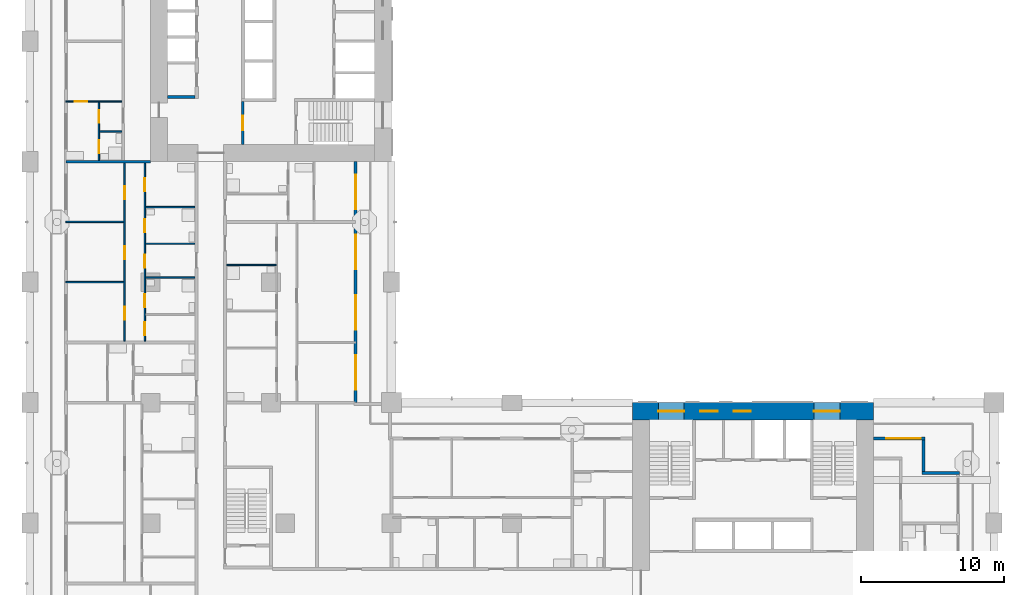
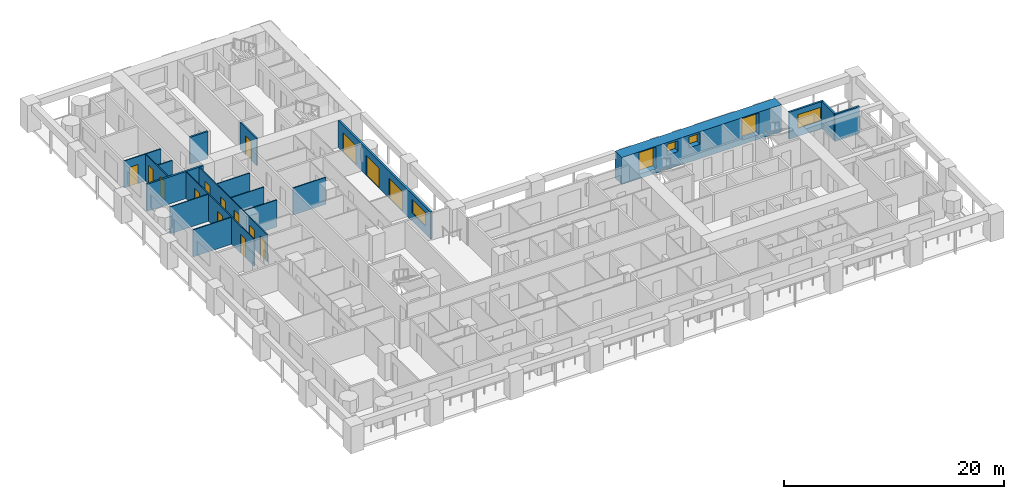
# One storey, part 8 of 21: 19 walls, 15 doors, 6 windows, 21 openings.
"""IFC4 building model written with IfcOpenShell, lengths in metres."""

from ifc_helpers import new_model, si_unit, direction, frame, frame_2d, origin, place, context, subcontext, project, spatial, rectangle, extrude, material, layer, layer_set, type_object, element, fill, save


model = new_model("IFC4")

# Units and contexts
model_context = context("Model", 3, precision=1e-05, world=origin(), true_north=direction((0.0, 1.0)))
body_context = subcontext(model_context, "Body", "Model", "MODEL_VIEW")
ifc_project = project(units=[si_unit("LENGTHUNIT", "METRE"), si_unit("AREAUNIT", "SQUARE_METRE"), si_unit("VOLUMEUNIT", "CUBIC_METRE"), si_unit("PLANEANGLEUNIT", "RADIAN"), si_unit("MASSUNIT", "GRAM", prefix="KILO")], contexts=[model_context])

# Site, building, storey
site_placement = place(None, origin())
site = spatial("IfcSite", under=ifc_project, at=site_placement, CompositionType="ELEMENT")
building_placement = place(site_placement, origin())
building = spatial("IfcBuilding", under=site, at=building_placement, Name="Vermilion Gate Residences", CompositionType="ELEMENT")
storey_placement = place(building_placement, frame((0.0, 0.0, 70.699951171875)))
storey = spatial("IfcBuildingStorey", under=building, at=storey_placement, Name="L17", CompositionType="ELEMENT", Elevation=70.699951171875)

# Wall, opening, door
ifc_material_1 = material(Name="Masonry blockwork", Category="masonry")
ifc_layer_1 = layer(ifc_material_1, 0.14990234375)
ifc_layer_set_1 = layer_set([ifc_layer_1], Name="BLOCKWORK PARTITION 150 EI 120")
wall_type_1 = type_object("IfcWallType", Name="BLOCKWORK PARTITION 150 EI 120", PredefinedType="PARTITIONING", material=ifc_layer_set_1)
wall_1_placement = place(storey_placement, frame((14.824951171875, 46.199951171875, 0.0), z_axis=(0.0, 0.0, 1.0), x_axis=(0.0, -1.0, 0.0)))
wall_1 = element("IfcWall", 1, at=wall_1_placement, inside=storey, type_object=wall_type_1, Name="Core room partition B17-VE-S", PredefinedType="PARTITIONING", context=body_context, shape_type="SweptSolid", body=[
    extrude(rectangle(XDim=3.0, YDim=0.14990234375, at=frame_2d((1.5, 0.0))), origin(), (0.0, 0.0, 1.0), 3.0),
])
opening_1_placement = place(wall_1_placement, frame((1.0, 0.0, 0.0)))
opening_1 = element("IfcOpeningElement", 2, at=opening_1_placement, cuts=wall_1, Name="Opening DK17114", PredefinedType="OPENING", context=body_context, shape_type="SweptSolid", body=[
    extrude(rectangle(XDim=1.0, YDim=2.10009765625, at=frame_2d((0.5, 1.050048828125))), frame((0.0, 0.0849609375, 0.0), z_axis=(0.0, -1.0, 0.0), x_axis=(1.0, 0.0, 0.0)), (0.0, 0.0, 1.0), 0.169921875),
])
ifc_material_2 = material(Name="Steel", Category="steel")
door_type_1 = type_object("IfcDoorType", Name="FIRE DOOR FD60 1000 X 2100", OperationType="SINGLE_SWING_LEFT", PredefinedType="DOOR", material=ifc_material_2)
door_1_placement = place(opening_1_placement, frame((1.0, 0.0, 0.0), z_axis=(0.0, 0.0, 1.0), x_axis=(-1.0, 0.0, 0.0)))
door_1 = element("IfcDoor", 3, at=door_1_placement, inside=storey, type_object=door_type_1, Name="Stair vestibule door B17", OperationType="SINGLE_SWING_LEFT", OverallHeight=2.10009765625, OverallWidth=1.0, PredefinedType="DOOR", context=body_context, shape_type="SweptSolid", body=[
    extrude(rectangle(XDim=1.0, YDim=2.10009765625, at=frame_2d((0.5, 1.050048828125))), frame((0.0, 0.02490234375, 0.0), z_axis=(0.0, -1.0, 0.0), x_axis=(1.0, 0.0, 0.0)), (0.0, 0.0, 1.0), 0.050048828125),
])
fill(opening_1, door_1)

# Walls
ifc_material_3 = material(Name="Insulated steel stud wall with terracotta rainscreen", Category="masonry")
ifc_layer_2 = layer(ifc_material_3, 0.199951171875)
ifc_layer_set_2 = layer_set([ifc_layer_2], Name="EXTERNAL WALL 200 TERRACOTTA RAINSCREEN")
wall_type_2 = type_object("IfcWallType", Name="EXTERNAL WALL 200 TERRACOTTA RAINSCREEN", PredefinedType="SOLIDWALL", material=ifc_layer_set_2)
wall_2_placement = place(storey_placement, frame((64.800048828125, 20.300048828125, 0.0), z_axis=(0.0, 0.0, 1.0), x_axis=(-1.0, 0.0, 0.0)))
element("IfcWall", 4, at=wall_2_placement, inside=storey, type_object=wall_type_2, Name="External wall", PredefinedType="SOLIDWALL", context=body_context, shape_type="SweptSolid", body=[
    extrude(rectangle(XDim=2.60009765625, YDim=0.199951171875, at=frame_2d((1.300048828125, 0.0))), origin(), (0.0, 0.0, 1.0), 3.0),
])
wall_3_placement = place(storey_placement, frame((62.300048828125, 20.39990234375, 0.0), z_axis=(0.0, 0.0, 1.0), x_axis=(0.0, 1.0, 0.0)))
element("IfcWall", 5, at=wall_3_placement, inside=storey, type_object=wall_type_2, Name="External wall", PredefinedType="SOLIDWALL", context=body_context, shape_type="SweptSolid", body=[
    extrude(rectangle(XDim=2.2001953125, YDim=0.199951171875, at=frame_2d((1.10009765625, 0.0))), origin(), (0.0, 0.0, 1.0), 3.0),
])

# Wall, opening, window
wall_4_placement = place(storey_placement, frame((62.39990234375, 22.699951171875, 0.0), z_axis=(0.0, 0.0, 1.0), x_axis=(-1.0, 0.0, 0.0)))
wall_4 = element("IfcWall", 6, at=wall_4_placement, inside=storey, type_object=wall_type_2, Name="External wall", PredefinedType="SOLIDWALL", context=body_context, shape_type="SweptSolid", body=[
    extrude(rectangle(XDim=3.599853515625, YDim=0.199951171875, at=frame_2d((1.7998046875, 0.0))), origin(), (0.0, 0.0, 1.0), 3.0),
])
opening_2_placement = place(wall_4_placement, frame((0.300048828125, 0.0, 0.89990234375)))
opening_2 = element("IfcOpeningElement", 7, at=opening_2_placement, cuts=wall_4, Name="Opening WE17032", PredefinedType="OPENING", context=body_context, shape_type="SweptSolid", body=[
    extrude(rectangle(XDim=2.39990234375, YDim=1.5, at=frame_2d((1.199951171875, 0.75))), frame((0.0, 0.10986328125, 0.0), z_axis=(0.0, -1.0, 0.0), x_axis=(1.0, 0.0, 0.0)), (0.0, 0.0, 1.0), 0.219970703125),
])
ifc_material_4 = material(Name="Aluminium and clear glass", Category="aluminium")
window_type_1 = type_object("IfcWindowType", Name="WINDOW 2400 X 1500", PartitioningType="SINGLE_PANEL", PredefinedType="WINDOW", material=ifc_material_4)
window_1_placement = place(opening_2_placement, origin())
window_1 = element("IfcWindow", 8, at=window_1_placement, inside=storey, type_object=window_type_1, Name="Window", OverallHeight=1.5, OverallWidth=2.39990234375, PartitioningType="SINGLE_PANEL", PredefinedType="WINDOW", context=body_context, shape_type="SweptSolid", body=[
    extrude(rectangle(XDim=2.39990234375, YDim=1.5, at=frame_2d((1.199951171875, 0.75))), frame((0.0, 0.030029296875, 0.0), z_axis=(0.0, -1.0, 0.0), x_axis=(1.0, 0.0, 0.0)), (0.0, 0.0, 1.0), 0.06005859375),
])
fill(opening_2, window_1)

# Wall, openings, doors, window
wall_5_placement = place(storey_placement, frame((22.699951171875, 25.199951171875, 0.0), z_axis=(0.0, 0.0, 1.0), x_axis=(0.0, 1.0, 0.0)))
wall_5 = element("IfcWall", 9, at=wall_5_placement, inside=storey, type_object=wall_type_2, Name="External wall", PredefinedType="SOLIDWALL", context=body_context, shape_type="SweptSolid", body=[
    extrude(rectangle(XDim=16.800048828125, YDim=0.199951171875, at=frame_2d((8.39990234375, 0.0))), origin(), (0.0, 0.0, 1.0), 3.0),
])
opening_3_placement = place(wall_5_placement, frame((0.89990234375, 0.0, 0.89990234375)))
opening_3 = element("IfcOpeningElement", 10, at=opening_3_placement, cuts=wall_5, Name="Opening WE17037", PredefinedType="OPENING", context=body_context, shape_type="SweptSolid", body=[
    extrude(rectangle(XDim=2.39990234375, YDim=1.5, at=frame_2d((1.199951171875, 0.75))), frame((0.0, 0.10986328125, 0.0), z_axis=(0.0, -1.0, 0.0), x_axis=(1.0, 0.0, 0.0)), (0.0, 0.0, 1.0), 0.219970703125),
])
opening_4_placement = place(wall_5_placement, frame((5.10009765625, 0.0, 0.0)))
opening_4 = element("IfcOpeningElement", 11, at=opening_4_placement, cuts=wall_5, Name="Opening DE17038", PredefinedType="OPENING", context=body_context, shape_type="SweptSolid", body=[
    extrude(rectangle(XDim=2.39990234375, YDim=2.199951171875, at=frame_2d((1.199951171875, 1.10009765625))), frame((0.0, 0.10986328125, 0.0), z_axis=(0.0, -1.0, 0.0), x_axis=(1.0, 0.0, 0.0)), (0.0, 0.0, 1.0), 0.219970703125),
])
opening_5_placement = place(wall_5_placement, frame((9.300048828125, 0.0, 0.0)))
opening_5 = element("IfcOpeningElement", 12, at=opening_5_placement, cuts=wall_5, Name="Opening DE17039", PredefinedType="OPENING", context=body_context, shape_type="SweptSolid", body=[
    extrude(rectangle(XDim=2.39990234375, YDim=2.199951171875, at=frame_2d((1.199951171875, 1.10009765625))), frame((0.0, 0.10986328125, 0.0), z_axis=(0.0, -1.0, 0.0), x_axis=(1.0, 0.0, 0.0)), (0.0, 0.0, 1.0), 0.219970703125),
])
opening_6_placement = place(wall_5_placement, frame((13.5, 0.0, 0.0)))
opening_6 = element("IfcOpeningElement", 13, at=opening_6_placement, cuts=wall_5, Name="Opening DE17040", PredefinedType="OPENING", context=body_context, shape_type="SweptSolid", body=[
    extrude(rectangle(XDim=2.39990234375, YDim=2.199951171875, at=frame_2d((1.199951171875, 1.10009765625))), frame((0.0, 0.10986328125, 0.0), z_axis=(0.0, -1.0, 0.0), x_axis=(1.0, 0.0, 0.0)), (0.0, 0.0, 1.0), 0.219970703125),
])
ifc_material_5 = material(Name="Aluminium and clear glass", Category="aluminium")
door_type_2 = type_object("IfcDoorType", Name="SLIDING GLAZED DOOR 2400 X 2200", OperationType="DOUBLE_DOOR_SLIDING", PredefinedType="DOOR", material=ifc_material_5)
door_2_placement = place(opening_4_placement, origin())
door_2 = element("IfcDoor", 14, at=door_2_placement, inside=storey, type_object=door_type_2, Name="Loggia sliding door", OperationType="DOUBLE_DOOR_SLIDING", OverallHeight=2.199951171875, OverallWidth=2.39990234375, PredefinedType="DOOR", context=body_context, shape_type="SweptSolid", body=[
    extrude(rectangle(XDim=2.39990234375, YDim=2.199951171875, at=frame_2d((1.199951171875, 1.10009765625))), frame((0.0, 0.02490234375, 0.0), z_axis=(0.0, -1.0, 0.0), x_axis=(1.0, 0.0, 0.0)), (0.0, 0.0, 1.0), 0.050048828125),
])
fill(opening_4, door_2)
door_3_placement = place(opening_5_placement, origin())
door_3 = element("IfcDoor", 15, at=door_3_placement, inside=storey, type_object=door_type_2, Name="Loggia sliding door", OperationType="DOUBLE_DOOR_SLIDING", OverallHeight=2.199951171875, OverallWidth=2.39990234375, PredefinedType="DOOR", context=body_context, shape_type="SweptSolid", body=[
    extrude(rectangle(XDim=2.39990234375, YDim=2.199951171875, at=frame_2d((1.199951171875, 1.10009765625))), frame((0.0, 0.02490234375, 0.0), z_axis=(0.0, -1.0, 0.0), x_axis=(1.0, 0.0, 0.0)), (0.0, 0.0, 1.0), 0.050048828125),
])
fill(opening_5, door_3)
door_4_placement = place(opening_6_placement, origin())
door_4 = element("IfcDoor", 16, at=door_4_placement, inside=storey, type_object=door_type_2, Name="Loggia sliding door", OperationType="DOUBLE_DOOR_SLIDING", OverallHeight=2.199951171875, OverallWidth=2.39990234375, PredefinedType="DOOR", context=body_context, shape_type="SweptSolid", body=[
    extrude(rectangle(XDim=2.39990234375, YDim=2.199951171875, at=frame_2d((1.199951171875, 1.10009765625))), frame((0.0, 0.02490234375, 0.0), z_axis=(0.0, -1.0, 0.0), x_axis=(1.0, 0.0, 0.0)), (0.0, 0.0, 1.0), 0.050048828125),
])
fill(opening_6, door_4)
window_2_placement = place(opening_3_placement, origin())
window_2 = element("IfcWindow", 17, at=window_2_placement, inside=storey, type_object=window_type_1, Name="Window", OverallHeight=1.5, OverallWidth=2.39990234375, PartitioningType="SINGLE_PANEL", PredefinedType="WINDOW", context=body_context, shape_type="SweptSolid", body=[
    extrude(rectangle(XDim=2.39990234375, YDim=1.5, at=frame_2d((1.199951171875, 0.75))), frame((0.0, 0.030029296875, 0.0), z_axis=(0.0, -1.0, 0.0), x_axis=(1.0, 0.0, 0.0)), (0.0, 0.0, 1.0), 0.06005859375),
])
fill(opening_3, window_2)

# Walls
ifc_material_6 = material(Name="Plasterboard on steel studs", Category="steel")
ifc_layer_3 = layer(ifc_material_6, 0.10009765625)
ifc_layer_set_3 = layer_set([ifc_layer_3], Name="PARTITION 100")
wall_type_3 = type_object("IfcWallType", Name="PARTITION 100", PredefinedType="PARTITIONING", material=ifc_layer_set_3)
wall_6_placement = place(storey_placement, frame((2.5, 33.60009765625, 0.0), z_axis=(0.0, 0.0, 1.0), x_axis=(1.0, 0.0, 0.0)))
element("IfcWall", 18, at=wall_6_placement, inside=storey, type_object=wall_type_3, Name="Partition", PredefinedType="PARTITIONING", context=body_context, shape_type="SweptSolid", body=[
    extrude(rectangle(XDim=4.050048828125, YDim=0.10009765625, at=frame_2d((2.02490234375, 0.0))), origin(), (0.0, 0.0, 1.0), 3.0),
])
for number, where, z_axis, x_axis, name in (
    (19, (8.050048828125, 33.919921875, 0.0), (0.0, 0.0, 1.0), (1.0, 0.0, 0.0), "Partition"),
    (20, (13.699951171875, 34.800048828125, 0.0), (0.0, 0.0, 1.0), (1.0, 0.0, 0.0), "Partition"),
    (21, (8.050048828125, 36.280029296875, 0.0), (0.0, 0.0, 1.0), (1.0, 0.0, 0.0), "Partition"),
):
    element("IfcWall", number, at=place(storey_placement, frame(where, z_axis=z_axis, x_axis=x_axis)), inside=storey, type_object=wall_type_3, Name=name, PredefinedType="PARTITIONING", context=body_context, shape_type="SweptSolid", body=[
        extrude(rectangle(XDim=3.449951171875, YDim=0.10009765625, at=frame_2d((1.72509765625, 0.0))), origin(), (0.0, 0.0, 1.0), 3.0),
    ])
wall_7_placement = place(storey_placement, frame((2.5, 37.800048828125, 0.0), z_axis=(0.0, 0.0, 1.0), x_axis=(1.0, 0.0, 0.0)))
element("IfcWall", 22, at=wall_7_placement, inside=storey, type_object=wall_type_3, Name="Partition", PredefinedType="PARTITIONING", context=body_context, shape_type="SweptSolid", body=[
    extrude(rectangle(XDim=4.050048828125, YDim=0.10009765625, at=frame_2d((2.02490234375, 0.0))), origin(), (0.0, 0.0, 1.0), 3.0),
])
wall_8_placement = place(storey_placement, frame((8.050048828125, 38.840087890625, 0.0), z_axis=(0.0, 0.0, 1.0), x_axis=(1.0, 0.0, 0.0)))
element("IfcWall", 23, at=wall_8_placement, inside=storey, type_object=wall_type_3, Name="Partition", PredefinedType="PARTITIONING", context=body_context, shape_type="SweptSolid", body=[
    extrude(rectangle(XDim=3.449951171875, YDim=0.10009765625, at=frame_2d((1.72509765625, 0.0))), origin(), (0.0, 0.0, 1.0), 3.0),
])
wall_9_placement = place(storey_placement, frame((4.85009765625, 44.10009765625, 0.0), z_axis=(0.0, 0.0, 1.0), x_axis=(1.0, 0.0, 0.0)))
element("IfcWall", 24, at=wall_9_placement, inside=storey, type_object=wall_type_3, Name="Partition", PredefinedType="PARTITIONING", context=body_context, shape_type="SweptSolid", body=[
    extrude(rectangle(XDim=1.5498046875, YDim=0.10009765625, at=frame_2d((0.77490234375, 0.0))), origin(), (0.0, 0.0, 1.0), 3.0),
])

# Wall, opening, door
wall_10_placement = place(storey_placement, frame((2.5, 46.199951171875, 0.0), z_axis=(0.0, 0.0, 1.0), x_axis=(1.0, 0.0, 0.0)))
wall_10 = element("IfcWall", 25, at=wall_10_placement, inside=storey, type_object=wall_type_3, Name="Partition", PredefinedType="PARTITIONING", context=body_context, shape_type="SweptSolid", body=[
    extrude(rectangle(XDim=3.89990234375, YDim=0.10009765625, at=frame_2d((1.949951171875, 0.0))), origin(), (0.0, 0.0, 1.0), 3.0),
])
opening_7_placement = place(wall_10_placement, frame((0.60009765625, 0.0, 0.0)))
opening_7 = element("IfcOpeningElement", 26, at=opening_7_placement, cuts=wall_10, Name="Opening DA16042", PredefinedType="OPENING", context=body_context, shape_type="SweptSolid", body=[
    extrude(rectangle(XDim=0.89990234375, YDim=2.10009765625, at=frame_2d((0.449951171875, 1.050048828125))), frame((0.0, 0.06005859375, 0.0), z_axis=(0.0, -1.0, 0.0), x_axis=(1.0, 0.0, 0.0)), (0.0, 0.0, 1.0), 0.1201171875),
])
ifc_material_7 = material(Name="Timber", Category="wood")
door_type_3 = type_object("IfcDoorType", Name="INTERIOR DOOR 900 X 2100", OperationType="SINGLE_SWING_LEFT", PredefinedType="DOOR", material=ifc_material_7)
door_5_placement = place(opening_7_placement, frame((0.89990234375, 0.0, 0.0), z_axis=(0.0, 0.0, 1.0), x_axis=(-1.0, 0.0, 0.0)))
door_5 = element("IfcDoor", 27, at=door_5_placement, inside=storey, type_object=door_type_3, Name="Interior door", OperationType="SINGLE_SWING_RIGHT", OverallHeight=2.10009765625, OverallWidth=0.89990234375, PredefinedType="DOOR", context=body_context, shape_type="SweptSolid", body=[
    extrude(rectangle(XDim=0.89990234375, YDim=2.10009765625, at=frame_2d((0.449951171875, 1.050048828125))), frame((0.0, 0.02490234375, 0.0), z_axis=(0.0, -1.0, 0.0), x_axis=(1.0, 0.0, 0.0)), (0.0, 0.0, 1.0), 0.050048828125),
])
fill(opening_7, door_5)

# Wall, openings, doors
wall_11_placement = place(storey_placement, frame((4.800048828125, 42.10009765625, 0.0), z_axis=(0.0, 0.0, 1.0), x_axis=(0.0, 1.0, 0.0)))
wall_11 = element("IfcWall", 28, at=wall_11_placement, inside=storey, type_object=wall_type_3, Name="Partition", PredefinedType="PARTITIONING", context=body_context, shape_type="SweptSolid", body=[
    extrude(rectangle(XDim=4.0498046875, YDim=0.10009765625, at=frame_2d((2.02490234375, 0.0))), origin(), (0.0, 0.0, 1.0), 3.0),
])
opening_8_placement = place(wall_11_placement, frame((2.60009765625, 0.0, 0.0)))
opening_8 = element("IfcOpeningElement", 29, at=opening_8_placement, cuts=wall_11, Name="Opening DA16043", PredefinedType="OPENING", context=body_context, shape_type="SweptSolid", body=[
    extrude(rectangle(XDim=0.89990234375, YDim=2.10009765625, at=frame_2d((0.449951171875, 1.050048828125))), frame((0.0, 0.06005859375, 0.0), z_axis=(0.0, -1.0, 0.0), x_axis=(1.0, 0.0, 0.0)), (0.0, 0.0, 1.0), 0.1201171875),
])
opening_9_placement = place(wall_11_placement, frame((0.5, 0.0, 0.0)))
opening_9 = element("IfcOpeningElement", 30, at=opening_9_placement, cuts=wall_11, Name="Opening DA16044", PredefinedType="OPENING", context=body_context, shape_type="SweptSolid", body=[
    extrude(rectangle(XDim=0.89990234375, YDim=2.10009765625, at=frame_2d((0.449951171875, 1.050048828125))), frame((0.0, 0.06005859375, 0.0), z_axis=(0.0, -1.0, 0.0), x_axis=(1.0, 0.0, 0.0)), (0.0, 0.0, 1.0), 0.1201171875),
])
door_6_placement = place(opening_8_placement, origin())
door_6 = element("IfcDoor", 31, at=door_6_placement, inside=storey, type_object=door_type_3, Name="Interior door", OperationType="SINGLE_SWING_RIGHT", OverallHeight=2.10009765625, OverallWidth=0.89990234375, PredefinedType="DOOR", context=body_context, shape_type="SweptSolid", body=[
    extrude(rectangle(XDim=0.89990234375, YDim=2.10009765625, at=frame_2d((0.449951171875, 1.050048828125))), frame((0.0, 0.02490234375, 0.0), z_axis=(0.0, -1.0, 0.0), x_axis=(1.0, 0.0, 0.0)), (0.0, 0.0, 1.0), 0.050048828125),
])
fill(opening_8, door_6)
door_7_placement = place(opening_9_placement, frame((0.89990234375, 0.0, 0.0), z_axis=(0.0, 0.0, 1.0), x_axis=(-1.0, 0.0, 0.0)))
door_7 = element("IfcDoor", 32, at=door_7_placement, inside=storey, type_object=door_type_3, Name="Interior door", OperationType="SINGLE_SWING_RIGHT", OverallHeight=2.10009765625, OverallWidth=0.89990234375, PredefinedType="DOOR", context=body_context, shape_type="SweptSolid", body=[
    extrude(rectangle(XDim=0.89990234375, YDim=2.10009765625, at=frame_2d((0.449951171875, 1.050048828125))), frame((0.0, 0.02490234375, 0.0), z_axis=(0.0, -1.0, 0.0), x_axis=(1.0, 0.0, 0.0)), (0.0, 0.0, 1.0), 0.050048828125),
])
fill(opening_9, door_7)

wall_12_placement = place(storey_placement, frame((6.60009765625, 29.5, 0.0), z_axis=(0.0, 0.0, 1.0), x_axis=(0.0, 1.0, 0.0)))
wall_12 = element("IfcWall", 33, at=wall_12_placement, inside=storey, type_object=wall_type_3, Name="Partition", PredefinedType="PARTITIONING", context=body_context, shape_type="SweptSolid", body=[
    extrude(rectangle(XDim=12.39990234375, YDim=0.10009765625, at=frame_2d((6.199951171875, 0.0))), origin(), (0.0, 0.0, 1.0), 3.0),
])
opening_10_placement = place(wall_12_placement, frame((1.5, 0.0, 0.0)))
opening_10 = element("IfcOpeningElement", 34, at=opening_10_placement, cuts=wall_12, Name="Opening DA16050", PredefinedType="OPENING", context=body_context, shape_type="SweptSolid", body=[
    extrude(rectangle(XDim=0.89990234375, YDim=2.10009765625, at=frame_2d((0.449951171875, 1.050048828125))), frame((0.0, 0.06005859375, 0.0), z_axis=(0.0, -1.0, 0.0), x_axis=(1.0, 0.0, 0.0)), (0.0, 0.0, 1.0), 0.1201171875),
])
opening_11_placement = place(wall_12_placement, frame((5.699951171875, 0.0, 0.0)))
opening_11 = element("IfcOpeningElement", 35, at=opening_11_placement, cuts=wall_12, Name="Opening DA16051", PredefinedType="OPENING", context=body_context, shape_type="SweptSolid", body=[
    extrude(rectangle(XDim=0.89990234375, YDim=2.10009765625, at=frame_2d((0.449951171875, 1.050048828125))), frame((0.0, 0.06005859375, 0.0), z_axis=(0.0, -1.0, 0.0), x_axis=(1.0, 0.0, 0.0)), (0.0, 0.0, 1.0), 0.1201171875),
])
opening_12_placement = place(wall_12_placement, frame((9.89990234375, 0.0, 0.0)))
opening_12 = element("IfcOpeningElement", 36, at=opening_12_placement, cuts=wall_12, Name="Opening DA16052", PredefinedType="OPENING", context=body_context, shape_type="SweptSolid", body=[
    extrude(rectangle(XDim=0.89990234375, YDim=2.10009765625, at=frame_2d((0.449951171875, 1.050048828125))), frame((0.0, 0.06005859375, 0.0), z_axis=(0.0, -1.0, 0.0), x_axis=(1.0, 0.0, 0.0)), (0.0, 0.0, 1.0), 0.1201171875),
])
door_8_placement = place(opening_10_placement, origin())
door_8 = element("IfcDoor", 37, at=door_8_placement, inside=storey, type_object=door_type_3, Name="Interior door", OperationType="SINGLE_SWING_LEFT", OverallHeight=2.10009765625, OverallWidth=0.89990234375, PredefinedType="DOOR", context=body_context, shape_type="SweptSolid", body=[
    extrude(rectangle(XDim=0.89990234375, YDim=2.10009765625, at=frame_2d((0.449951171875, 1.050048828125))), frame((0.0, 0.02490234375, 0.0), z_axis=(0.0, -1.0, 0.0), x_axis=(1.0, 0.0, 0.0)), (0.0, 0.0, 1.0), 0.050048828125),
])
fill(opening_10, door_8)
door_9_placement = place(opening_11_placement, origin())
door_9 = element("IfcDoor", 38, at=door_9_placement, inside=storey, type_object=door_type_3, Name="Interior door", OperationType="SINGLE_SWING_LEFT", OverallHeight=2.10009765625, OverallWidth=0.89990234375, PredefinedType="DOOR", context=body_context, shape_type="SweptSolid", body=[
    extrude(rectangle(XDim=0.89990234375, YDim=2.10009765625, at=frame_2d((0.449951171875, 1.050048828125))), frame((0.0, 0.02490234375, 0.0), z_axis=(0.0, -1.0, 0.0), x_axis=(1.0, 0.0, 0.0)), (0.0, 0.0, 1.0), 0.050048828125),
])
fill(opening_11, door_9)
door_10_placement = place(opening_12_placement, origin())
door_10 = element("IfcDoor", 39, at=door_10_placement, inside=storey, type_object=door_type_3, Name="Interior door", OperationType="SINGLE_SWING_LEFT", OverallHeight=2.10009765625, OverallWidth=0.89990234375, PredefinedType="DOOR", context=body_context, shape_type="SweptSolid", body=[
    extrude(rectangle(XDim=0.89990234375, YDim=2.10009765625, at=frame_2d((0.449951171875, 1.050048828125))), frame((0.0, 0.02490234375, 0.0), z_axis=(0.0, -1.0, 0.0), x_axis=(1.0, 0.0, 0.0)), (0.0, 0.0, 1.0), 0.050048828125),
])
fill(opening_12, door_10)

wall_13_placement = place(storey_placement, frame((8.0, 29.5, 0.0), z_axis=(0.0, 0.0, 1.0), x_axis=(0.0, 1.0, 0.0)))
wall_13 = element("IfcWall", 40, at=wall_13_placement, inside=storey, type_object=wall_type_3, Name="Partition", PredefinedType="PARTITIONING", context=body_context, shape_type="SweptSolid", body=[
    extrude(rectangle(XDim=12.39990234375, YDim=0.10009765625, at=frame_2d((6.199951171875, 0.0))), origin(), (0.0, 0.0, 1.0), 3.0),
])
opening_13_placement = place(wall_13_placement, frame((5.1201171875, 0.0, 0.0)))
opening_13 = element("IfcOpeningElement", 41, at=opening_13_placement, cuts=wall_13, Name="Opening DA16059", PredefinedType="OPENING", context=body_context, shape_type="SweptSolid", body=[
    extrude(rectangle(XDim=0.89990234375, YDim=2.10009765625, at=frame_2d((0.449951171875, 1.050048828125))), frame((0.0, 0.06005859375, 0.0), z_axis=(0.0, -1.0, 0.0), x_axis=(1.0, 0.0, 0.0)), (0.0, 0.0, 1.0), 0.1201171875),
])
opening_14_placement = place(wall_13_placement, frame((0.39990234375, 0.0, 0.0)))
opening_14 = element("IfcOpeningElement", 42, at=opening_14_placement, cuts=wall_13, Name="Opening DA16060", PredefinedType="OPENING", context=body_context, shape_type="SweptSolid", body=[
    extrude(rectangle(XDim=0.89990234375, YDim=2.10009765625, at=frame_2d((0.449951171875, 1.050048828125))), frame((0.0, 0.06005859375, 0.0), z_axis=(0.0, -1.0, 0.0), x_axis=(1.0, 0.0, 0.0)), (0.0, 0.0, 1.0), 0.1201171875),
])
opening_15_placement = place(wall_13_placement, frame((2.360107421875, 0.0, 0.0)))
opening_15 = element("IfcOpeningElement", 43, at=opening_15_placement, cuts=wall_13, Name="Opening DA16061", PredefinedType="OPENING", context=body_context, shape_type="SweptSolid", body=[
    extrude(rectangle(XDim=0.89990234375, YDim=2.10009765625, at=frame_2d((0.449951171875, 1.050048828125))), frame((0.0, 0.06005859375, 0.0), z_axis=(0.0, -1.0, 0.0), x_axis=(1.0, 0.0, 0.0)), (0.0, 0.0, 1.0), 0.1201171875),
])
opening_16_placement = place(wall_13_placement, frame((7.580078125, 0.0, 0.0)))
opening_16 = element("IfcOpeningElement", 44, at=opening_16_placement, cuts=wall_13, Name="Opening DA16062", PredefinedType="OPENING", context=body_context, shape_type="SweptSolid", body=[
    extrude(rectangle(XDim=0.89990234375, YDim=2.10009765625, at=frame_2d((0.449951171875, 1.050048828125))), frame((0.0, 0.06005859375, 0.0), z_axis=(0.0, -1.0, 0.0), x_axis=(1.0, 0.0, 0.0)), (0.0, 0.0, 1.0), 0.1201171875),
])
opening_17_placement = place(wall_13_placement, frame((10.43994140625, 0.0, 0.0)))
opening_17 = element("IfcOpeningElement", 45, at=opening_17_placement, cuts=wall_13, Name="Opening DA16063", PredefinedType="OPENING", context=body_context, shape_type="SweptSolid", body=[
    extrude(rectangle(XDim=0.89990234375, YDim=2.10009765625, at=frame_2d((0.449951171875, 1.050048828125))), frame((0.0, 0.06005859375, 0.0), z_axis=(0.0, -1.0, 0.0), x_axis=(1.0, 0.0, 0.0)), (0.0, 0.0, 1.0), 0.1201171875),
])
door_11_placement = place(opening_13_placement, frame((0.89990234375, 0.0, 0.0), z_axis=(0.0, 0.0, 1.0), x_axis=(-1.0, 0.0, 0.0)))
door_11 = element("IfcDoor", 46, at=door_11_placement, inside=storey, type_object=door_type_3, Name="Interior door", OperationType="SINGLE_SWING_RIGHT", OverallHeight=2.10009765625, OverallWidth=0.89990234375, PredefinedType="DOOR", context=body_context, shape_type="SweptSolid", body=[
    extrude(rectangle(XDim=0.89990234375, YDim=2.10009765625, at=frame_2d((0.449951171875, 1.050048828125))), frame((0.0, 0.02490234375, 0.0), z_axis=(0.0, -1.0, 0.0), x_axis=(1.0, 0.0, 0.0)), (0.0, 0.0, 1.0), 0.050048828125),
])
fill(opening_13, door_11)
door_12_placement = place(opening_14_placement, frame((0.89990234375, 0.0, 0.0), z_axis=(0.0, 0.0, 1.0), x_axis=(-1.0, 0.0, 0.0)))
door_12 = element("IfcDoor", 47, at=door_12_placement, inside=storey, type_object=door_type_3, Name="Interior door", OperationType="SINGLE_SWING_RIGHT", OverallHeight=2.10009765625, OverallWidth=0.89990234375, PredefinedType="DOOR", context=body_context, shape_type="SweptSolid", body=[
    extrude(rectangle(XDim=0.89990234375, YDim=2.10009765625, at=frame_2d((0.449951171875, 1.050048828125))), frame((0.0, 0.02490234375, 0.0), z_axis=(0.0, -1.0, 0.0), x_axis=(1.0, 0.0, 0.0)), (0.0, 0.0, 1.0), 0.050048828125),
])
fill(opening_14, door_12)
door_13_placement = place(opening_15_placement, frame((0.89990234375, 0.0, 0.0), z_axis=(0.0, 0.0, 1.0), x_axis=(-1.0, 0.0, 0.0)))
door_13 = element("IfcDoor", 48, at=door_13_placement, inside=storey, type_object=door_type_3, Name="Interior door", OperationType="SINGLE_SWING_LEFT", OverallHeight=2.10009765625, OverallWidth=0.89990234375, PredefinedType="DOOR", context=body_context, shape_type="SweptSolid", body=[
    extrude(rectangle(XDim=0.89990234375, YDim=2.10009765625, at=frame_2d((0.449951171875, 1.050048828125))), frame((0.0, 0.02490234375, 0.0), z_axis=(0.0, -1.0, 0.0), x_axis=(1.0, 0.0, 0.0)), (0.0, 0.0, 1.0), 0.050048828125),
])
fill(opening_15, door_13)
door_14_placement = place(opening_16_placement, frame((0.89990234375, 0.0, 0.0), z_axis=(0.0, 0.0, 1.0), x_axis=(-1.0, 0.0, 0.0)))
door_14 = element("IfcDoor", 49, at=door_14_placement, inside=storey, type_object=door_type_3, Name="Interior door", OperationType="SINGLE_SWING_LEFT", OverallHeight=2.10009765625, OverallWidth=0.89990234375, PredefinedType="DOOR", context=body_context, shape_type="SweptSolid", body=[
    extrude(rectangle(XDim=0.89990234375, YDim=2.10009765625, at=frame_2d((0.449951171875, 1.050048828125))), frame((0.0, 0.02490234375, 0.0), z_axis=(0.0, -1.0, 0.0), x_axis=(1.0, 0.0, 0.0)), (0.0, 0.0, 1.0), 0.050048828125),
])
fill(opening_16, door_14)
door_15_placement = place(opening_17_placement, frame((0.89990234375, 0.0, 0.0), z_axis=(0.0, 0.0, 1.0), x_axis=(-1.0, 0.0, 0.0)))
door_15 = element("IfcDoor", 50, at=door_15_placement, inside=storey, type_object=door_type_3, Name="Interior door", OperationType="SINGLE_SWING_RIGHT", OverallHeight=2.10009765625, OverallWidth=0.89990234375, PredefinedType="DOOR", context=body_context, shape_type="SweptSolid", body=[
    extrude(rectangle(XDim=0.89990234375, YDim=2.10009765625, at=frame_2d((0.449951171875, 1.050048828125))), frame((0.0, 0.02490234375, 0.0), z_axis=(0.0, -1.0, 0.0), x_axis=(1.0, 0.0, 0.0)), (0.0, 0.0, 1.0), 0.050048828125),
])
fill(opening_17, door_15)

# Walls
ifc_material_8 = material(Name="Fire-rated plasterboard on steel studs", Category="steel")
ifc_layer_4 = layer(ifc_material_8, 0.199951171875)
ifc_layer_set_4 = layer_set([ifc_layer_4], Name="PARTY WALL 200 EI 120")
wall_type_4 = type_object("IfcWallType", Name="PARTY WALL 200 EI 120", PredefinedType="PARTITIONING", material=ifc_layer_set_4)
wall_14_placement = place(storey_placement, frame((2.5, 42.0, 0.0), z_axis=(0.0, 0.0, 1.0), x_axis=(1.0, 0.0, 0.0)))
element("IfcWall", 51, at=wall_14_placement, inside=storey, type_object=wall_type_4, Name="Party and corridor wall", PredefinedType="PARTITIONING", context=body_context, shape_type="SweptSolid", body=[
    extrude(rectangle(XDim=5.89990234375, YDim=0.199951171875, at=frame_2d((2.949951171875, 0.0))), origin(), (0.0, 0.0, 1.0), 3.0),
])
ifc_material_9 = material(Name="Concrete C60", Category="concrete")
ifc_layer_5 = layer(ifc_material_9, 0.199951171875)
ifc_layer_set_5 = layer_set([ifc_layer_5], Name="RC CORE INTERNAL WALL 200 C60")
wall_type_5 = type_object("IfcWallType", Name="RC CORE INTERNAL WALL 200 C60", PredefinedType="SHEAR", material=ifc_layer_set_5)
wall_15_placement = place(storey_placement, frame((9.60009765625, 46.5, 0.0), z_axis=(0.0, 0.0, 1.0), x_axis=(1.0, 0.0, 0.0)))
element("IfcWall", 52, at=wall_15_placement, inside=storey, type_object=wall_type_5, Name="Core internal wall B17-LR-DE", PredefinedType="SHEAR", context=body_context, shape_type="SweptSolid", body=[
    extrude(rectangle(XDim=1.89990234375, YDim=0.199951171875, at=frame_2d((0.949951171875, 0.0))), origin(), (0.0, 0.0, 1.0), 3.0),
])

# Wall, openings, windows
ifc_material_10 = material(Name="Concrete C80 red-oxide pigmented", Category="concrete")
ifc_layer_6 = layer(ifc_material_10, 1.199951171875)
ifc_layer_set_6 = layer_set([ifc_layer_6], Name="RC CORE WALL 1200 C80 RED OXIDE")
wall_type_6 = type_object("IfcWallType", Name="RC CORE WALL 1200 C80 RED OXIDE", PredefinedType="SHEAR", material=ifc_layer_set_6)
wall_16_placement = place(storey_placement, frame((42.0, 24.60009765625, 0.0), z_axis=(0.0, 0.0, 1.0), x_axis=(1.0, 0.0, 0.0)))
wall_16 = element("IfcWall", 53, at=wall_16_placement, inside=storey, type_object=wall_type_6, Name="Core wall A17-OUT-B1", PredefinedType="SHEAR", context=body_context, shape_type="SweptSolid", body=[
    extrude(rectangle(XDim=16.800048828125, YDim=1.199951171875, at=frame_2d((8.39990234375, 0.0))), origin(), (0.0, 0.0, 1.0), 3.0),
])
opening_18_placement = place(wall_16_placement, frame((1.800048828125, 0.0, 0.5)))
opening_18 = element("IfcOpeningElement", 54, at=opening_18_placement, cuts=wall_16, Name="Opening WKA1701", PredefinedType="OPENING", context=body_context, shape_type="SweptSolid", body=[
    extrude(rectangle(XDim=1.800048828125, YDim=2.39990234375, at=frame_2d((0.89990234375, 1.199951171875))), frame((0.0, 0.60986328125, 0.0), z_axis=(0.0, -1.0, 0.0), x_axis=(1.0, 0.0, 0.0)), (0.0, 0.0, 1.0), 1.219970703125),
])
opening_19_placement = place(wall_16_placement, frame((4.737548828125, 0.0, 1.60009765625)))
opening_19 = element("IfcOpeningElement", 55, at=opening_19_placement, cuts=wall_16, Name="Opening WKA1702", PredefinedType="OPENING", context=body_context, shape_type="SweptSolid", body=[
    extrude(rectangle(XDim=1.199951171875, YDim=1.199951171875, at=frame_2d((0.60009765625, 0.60009765625))), frame((0.0, 0.60986328125, 0.0), z_axis=(0.0, -1.0, 0.0), x_axis=(1.0, 0.0, 0.0)), (0.0, 0.0, 1.0), 1.219970703125),
])
opening_20_placement = place(wall_16_placement, frame((7.050048828125, 0.0, 1.60009765625)))
opening_20 = element("IfcOpeningElement", 56, at=opening_20_placement, cuts=wall_16, Name="Opening WKA1703", PredefinedType="OPENING", context=body_context, shape_type="SweptSolid", body=[
    extrude(rectangle(XDim=1.199951171875, YDim=1.199951171875, at=frame_2d((0.60009765625, 0.60009765625))), frame((0.0, 0.60986328125, 0.0), z_axis=(0.0, -1.0, 0.0), x_axis=(1.0, 0.0, 0.0)), (0.0, 0.0, 1.0), 1.219970703125),
])
opening_21_placement = place(wall_16_placement, frame((12.64990234375, 0.0, 0.5)))
opening_21 = element("IfcOpeningElement", 57, at=opening_21_placement, cuts=wall_16, Name="Opening WKA1704", PredefinedType="OPENING", context=body_context, shape_type="SweptSolid", body=[
    extrude(rectangle(XDim=1.800048828125, YDim=2.39990234375, at=frame_2d((0.89990234375, 1.199951171875))), frame((0.0, 0.60986328125, 0.0), z_axis=(0.0, -1.0, 0.0), x_axis=(1.0, 0.0, 0.0)), (0.0, 0.0, 1.0), 1.219970703125),
])
ifc_material_11 = material(Name="Aluminium frame with louvre blades", Category="aluminium")
window_type_2 = type_object("IfcWindowType", Name="CORE LOUVRE 1200 X 1200", PartitioningType="SINGLE_PANEL", PredefinedType="WINDOW", material=ifc_material_11)
window_3_placement = place(opening_19_placement, origin())
window_3 = element("IfcWindow", 58, at=window_3_placement, inside=storey, type_object=window_type_2, Name="Core louvre", OverallHeight=1.199951171875, OverallWidth=1.199951171875, PartitioningType="SINGLE_PANEL", PredefinedType="WINDOW", context=body_context, shape_type="SweptSolid", body=[
    extrude(rectangle(XDim=1.199951171875, YDim=1.199951171875, at=frame_2d((0.60009765625, 0.60009765625))), frame((0.0, 0.030029296875, 0.0), z_axis=(0.0, -1.0, 0.0), x_axis=(1.0, 0.0, 0.0)), (0.0, 0.0, 1.0), 0.06005859375),
])
fill(opening_19, window_3)
window_4_placement = place(opening_20_placement, origin())
window_4 = element("IfcWindow", 59, at=window_4_placement, inside=storey, type_object=window_type_2, Name="Core louvre", OverallHeight=1.199951171875, OverallWidth=1.199951171875, PartitioningType="SINGLE_PANEL", PredefinedType="WINDOW", context=body_context, shape_type="SweptSolid", body=[
    extrude(rectangle(XDim=1.199951171875, YDim=1.199951171875, at=frame_2d((0.60009765625, 0.60009765625))), frame((0.0, 0.030029296875, 0.0), z_axis=(0.0, -1.0, 0.0), x_axis=(1.0, 0.0, 0.0)), (0.0, 0.0, 1.0), 0.06005859375),
])
fill(opening_20, window_4)
ifc_material_12 = material(Name="Aluminium and clear glass", Category="aluminium")
window_type_3 = type_object("IfcWindowType", Name="CORE STAIR WINDOW 1800 X 2400", PartitioningType="SINGLE_PANEL", PredefinedType="WINDOW", material=ifc_material_12)
window_5_placement = place(opening_18_placement, origin())
window_5 = element("IfcWindow", 60, at=window_5_placement, inside=storey, type_object=window_type_3, Name="Core stair window", OverallHeight=2.39990234375, OverallWidth=1.800048828125, PartitioningType="SINGLE_PANEL", PredefinedType="WINDOW", context=body_context, shape_type="SweptSolid", body=[
    extrude(rectangle(XDim=1.800048828125, YDim=2.39990234375, at=frame_2d((0.89990234375, 1.199951171875))), frame((0.0, 0.030029296875, 0.0), z_axis=(0.0, -1.0, 0.0), x_axis=(1.0, 0.0, 0.0)), (0.0, 0.0, 1.0), 0.06005859375),
])
fill(opening_18, window_5)
window_6_placement = place(opening_21_placement, origin())
window_6 = element("IfcWindow", 61, at=window_6_placement, inside=storey, type_object=window_type_3, Name="Core stair window", OverallHeight=2.39990234375, OverallWidth=1.800048828125, PartitioningType="SINGLE_PANEL", PredefinedType="WINDOW", context=body_context, shape_type="SweptSolid", body=[
    extrude(rectangle(XDim=1.800048828125, YDim=2.39990234375, at=frame_2d((0.89990234375, 1.199951171875))), frame((0.0, 0.030029296875, 0.0), z_axis=(0.0, -1.0, 0.0), x_axis=(1.0, 0.0, 0.0)), (0.0, 0.0, 1.0), 0.06005859375),
])
fill(opening_21, window_6)

save(model, "model.ifc")
